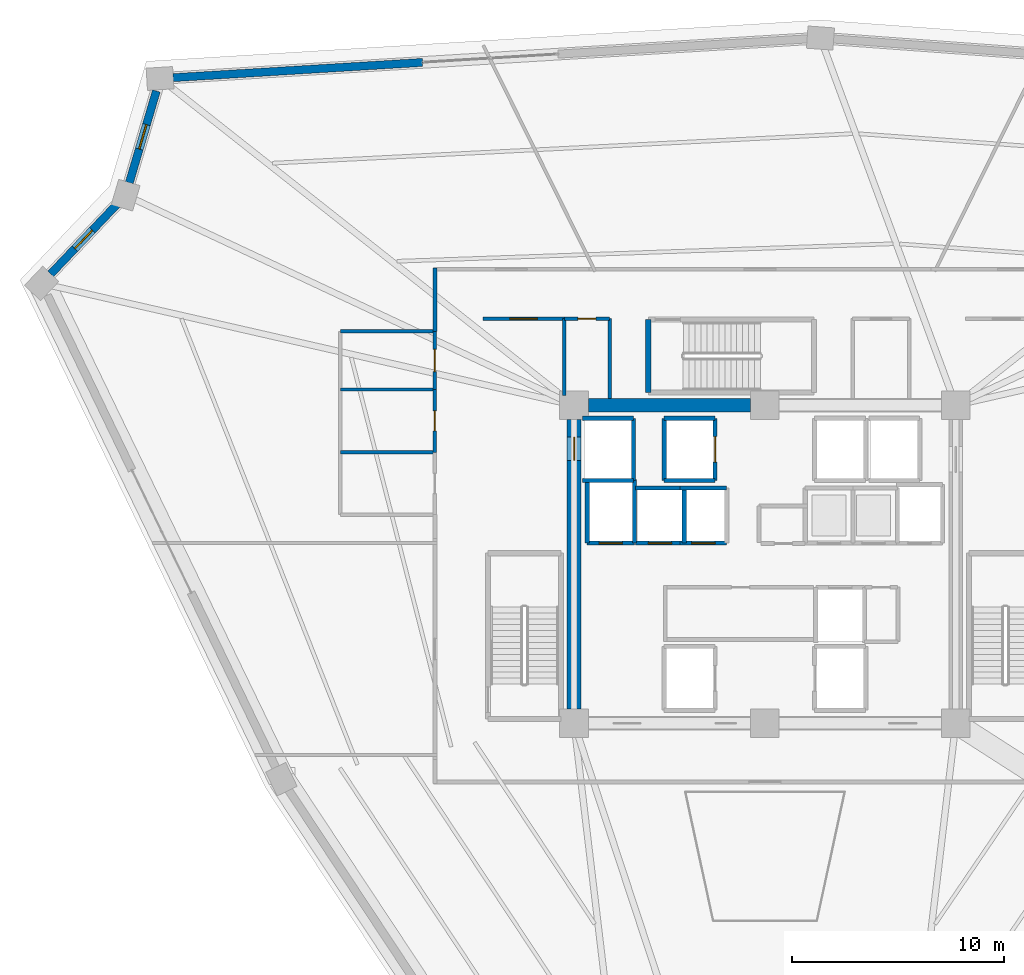
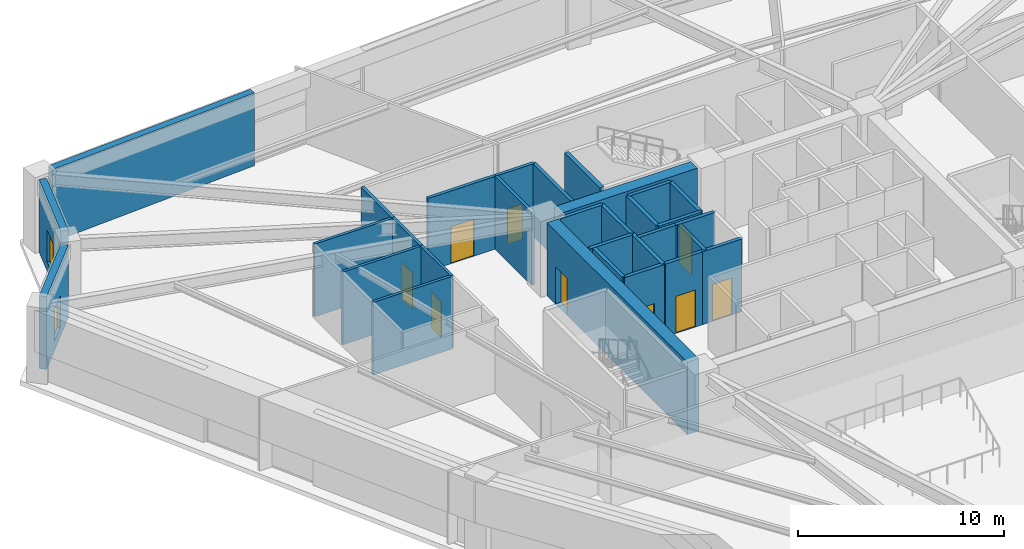
# One storey, part 33 of 39: 31 walls, 9 doors, 2 windows, 11 openings.
"""IFC4 building model written with IfcOpenShell, lengths in metres."""

from ifc_helpers import new_model, si_unit, direction, frame, frame_2d, origin, place, context, subcontext, project, spatial, rectangle, extrude, source, transform, mapped, material, layer, layer_set, type_object, element, fill, save


model = new_model("IFC4")

# Units and contexts
model_context = context("Model", 3, precision=1e-05, world=origin(), true_north=direction((0.0, 1.0)))
body_context = subcontext(model_context, "Body", "Model", "MODEL_VIEW")
ifc_project = project(units=[si_unit("LENGTHUNIT", "METRE"), si_unit("AREAUNIT", "SQUARE_METRE"), si_unit("VOLUMEUNIT", "CUBIC_METRE"), si_unit("PLANEANGLEUNIT", "RADIAN"), si_unit("MASSUNIT", "GRAM", prefix="KILO")], contexts=[model_context])

# Site, building, storey
site_placement = place(None, origin())
site = spatial("IfcSite", under=ifc_project, at=site_placement, CompositionType="ELEMENT")
building_placement = place(site_placement, origin())
building = spatial("IfcBuilding", under=site, at=building_placement, Name="Liaohun Quay Tower", CompositionType="ELEMENT")
storey_placement = place(building_placement, frame((0.0, 0.0, 189.75)))
storey = spatial("IfcBuildingStorey", under=building, at=storey_placement, Name="L49", CompositionType="ELEMENT", Elevation=189.75)

# Wall
ifc_material_1 = material(Name="Concrete C55", Category="concrete")
ifc_layer_1 = layer(ifc_material_1, 0.64990234375, Name="Concrete C55", Category="concrete")
ifc_layer_set_1 = layer_set([ifc_layer_1], Name="Concrete C55")
wall_type_1 = type_object("IfcWallType", Name="WAL-COR-Z3", PredefinedType="SHEAR", material=ifc_layer_set_1)
wall_1_placement = place(storey_placement, frame((51.675048828125, 61.5, 0.0), z_axis=(0.0, 0.0, 1.0), x_axis=(1.0, 0.0, 0.0)))
element("IfcWall", 1, at=wall_1_placement, inside=storey, type_object=wall_type_1, Name="L49 Central Core Shear Wall N-W", PredefinedType="SHEAR", context=body_context, shape_type="SweptSolid", body=[
    extrude(rectangle(XDim=7.64990234375, YDim=0.64990234375, at=frame_2d((3.824951171875, 0.0))), origin(), (0.0, 0.0, 1.0), 4.320068359375),
])

# Wall, opening, door
wall_2_placement = place(storey_placement, frame((51.0, 47.175048828125, 0.0), z_axis=(0.0, 0.0, 1.0), x_axis=(0.0, 1.0, 0.0)))
wall_2 = element("IfcWall", 2, at=wall_2_placement, inside=storey, type_object=wall_type_1, Name="L49 Central Core Shear Wall W", PredefinedType="SHEAR", context=body_context, shape_type="SweptSolid", body=[
    extrude(rectangle(XDim=13.64990234375, YDim=0.64990234375, at=frame_2d((6.824951171875, 0.0))), origin(), (0.0, 0.0, 1.0), 4.320068359375),
])
shared_shape_1 = source(origin(), body_context, "Body", "SweptSolid", [
    extrude(rectangle(XDim=1.10009765625, YDim=2.199951171875, at=frame_2d((0.550048828125, 1.10009765625))), frame((0.0, 0.3349609375, 0.0), z_axis=(0.0, -1.0, 0.0), x_axis=(1.0, 0.0, 0.0)), (0.0, 0.0, 1.0), 0.669921875),
])
opening_1_placement = place(wall_2_placement, frame((11.72509765625, 0.0, 0.0)))
opening_1 = element("IfcOpeningElement", 3, at=opening_1_placement, cuts=wall_2, Name="Opening LD1", PredefinedType="OPENING", context=body_context, shape_type="MappedRepresentation", body=[
    mapped(shared_shape_1, transform((0.0, 0.0, 0.0), x_axis=(1.0, 0.0, 0.0), y_axis=(0.0, 1.0, 0.0), z_axis=(0.0, 0.0, 1.0), scale=1.0)),
])
ifc_material_2 = material(Name="Brushed stainless steel landing door", Category="steel")
door_type_1 = type_object("IfcDoorType", Name="DOR-LFT-1100", OperationType="SLIDING_TO_LEFT", PredefinedType="DOOR", material=ifc_material_2)
shared_shape_2 = source(origin(), body_context, "Body", "SweptSolid", [
    extrude(rectangle(XDim=1.10009765625, YDim=2.199951171875, at=frame_2d((0.550048828125, 1.10009765625))), frame((0.0, 0.02490234375, 0.0), z_axis=(0.0, -1.0, 0.0), x_axis=(1.0, 0.0, 0.0)), (0.0, 0.0, 1.0), 0.050048828125),
])
door_1_placement = place(opening_1_placement, origin())
door_1 = element("IfcDoor", 4, at=door_1_placement, inside=storey, type_object=door_type_1, Name="L49 Lift SH-01 Sliding Landing Door", OperationType="SLIDING_TO_LEFT", OverallHeight=2.199951171875, OverallWidth=1.10009765625, PredefinedType="DOOR", context=body_context, shape_type="MappedRepresentation", body=[
    mapped(shared_shape_2, transform((0.0, 0.0, 0.0), x_axis=(1.0, 0.0, 0.0), y_axis=(0.0, 1.0, 0.0), z_axis=(0.0, 0.0, 1.0), scale=1.0)),
])
fill(opening_1, door_1)

# Wall
ifc_material_3 = material(Name="Precast concrete C50 insulated sandwich", Category="concrete")
ifc_layer_2 = layer(ifc_material_3, 0.3798828125, Name="Precast concrete C50 insulated sandwich", Category="concrete")
ifc_layer_set_2 = layer_set([ifc_layer_2], Name="Precast concrete C50 insulated sandwich")
wall_type_2 = type_object("IfcWallType", Name="WAL-EXT-Z34", PredefinedType="SOLIDWALL", material=ifc_layer_set_2)
wall_3_placement = place(storey_placement, frame((43.85498046875, 77.6640625, 0.0), z_axis=(0.0, 0.0, 1.0), x_axis=(-0.998131807187, -0.061097426145, 0.0)))
element("IfcWall", 5, at=wall_3_placement, inside=storey, type_object=wall_type_2, Name="L49 Belvedere Flank Pier Wall 07R", PredefinedType="SOLIDWALL", context=body_context, shape_type="SweptSolid", body=[
    extrude(rectangle(XDim=11.783935546875, YDim=0.3798828125, at=frame_2d((5.89208984375, 0.0))), origin(), (0.0, 0.0, 1.0), 4.320068359375),
])

# Wall, opening, window
wall_4_placement = place(storey_placement, frame((31.304931640625, 76.31591796875, 0.0), z_axis=(0.0, 0.0, 1.0), x_axis=(-0.282667804741, -0.959217864806, 0.0)))
wall_4 = element("IfcWall", 6, at=wall_4_placement, inside=storey, type_object=wall_type_2, Name="L49 Corner Notch Precast Pier Wall 08", PredefinedType="SOLIDWALL", context=body_context, shape_type="SweptSolid", body=[
    extrude(rectangle(XDim=4.5068359375, YDim=0.3798828125, at=frame_2d((2.25341796875, 0.0))), origin(), (0.0, 0.0, 1.0), 4.320068359375),
])
shared_shape_3 = source(origin(), body_context, "Body", "SweptSolid", [
    extrude(rectangle(XDim=1.199951171875, YDim=1.89990234375, at=frame_2d((0.60009765625, 0.949951171875))), frame((0.0, 0.199951171875, 0.0), z_axis=(0.0, -1.0, 0.0), x_axis=(1.0, 0.0, 0.0)), (0.0, 0.0, 1.0), 0.39990234375),
])
opening_2_placement = place(wall_4_placement, frame((1.653076171875, 0.0, 0.550048828125)))
opening_2 = element("IfcOpeningElement", 7, at=opening_2_placement, cuts=wall_4, Name="Opening W05", PredefinedType="OPENING", context=body_context, shape_type="MappedRepresentation", body=[
    mapped(shared_shape_3, transform((0.0, 0.0, 0.0), x_axis=(1.0, 0.0, 0.0), y_axis=(0.0, 1.0, 0.0), z_axis=(0.0, 0.0, 1.0), scale=1.0)),
])
ifc_material_4 = material(Name="Triple Low-E corner notch glazing", Category="glass")
window_type = type_object("IfcWindowType", Name="WIN-NOTCH", PartitioningType="SINGLE_PANEL", PredefinedType="WINDOW", material=ifc_material_4)
shared_shape_4 = source(origin(), body_context, "Body", "SweptSolid", [
    extrude(rectangle(XDim=1.199951171875, YDim=1.89990234375, at=frame_2d((0.60009765625, 0.949951171875))), frame((0.0, 0.030029296875, 0.0), z_axis=(0.0, -1.0, 0.0), x_axis=(1.0, 0.0, 0.0)), (0.0, 0.0, 1.0), 0.06005859375),
])
window_1_placement = place(opening_2_placement, origin())
window_1 = element("IfcWindow", 8, at=window_1_placement, inside=storey, type_object=window_type, Name="L49 Corner Notch Window W05-08", OverallHeight=1.89990234375, OverallWidth=1.199951171875, PartitioningType="SINGLE_PANEL", PredefinedType="WINDOW", context=body_context, shape_type="MappedRepresentation", body=[
    mapped(shared_shape_4, transform((0.0, 0.0, 0.0), x_axis=(1.0, 0.0, 0.0), y_axis=(0.0, 1.0, 0.0), z_axis=(0.0, 0.0, 1.0), scale=1.0)),
])
fill(opening_2, window_1)

wall_5_placement = place(storey_placement, frame((29.43310546875, 70.9580078125, 0.0), z_axis=(0.0, 0.0, 1.0), x_axis=(-0.689291978765, -0.724483656137, 0.0)))
wall_5 = element("IfcWall", 9, at=wall_5_placement, inside=storey, type_object=wall_type_2, Name="L49 Corner Notch Precast Pier Wall 09", PredefinedType="SOLIDWALL", context=body_context, shape_type="SweptSolid", body=[
    extrude(rectangle(XDim=4.516357421875, YDim=0.3798828125, at=frame_2d((2.25830078125, 0.0))), origin(), (0.0, 0.0, 1.0), 4.320068359375),
])
opening_3_placement = place(wall_5_placement, frame((1.657958984375, 0.0, 0.550048828125)))
opening_3 = element("IfcOpeningElement", 10, at=opening_3_placement, cuts=wall_5, Name="Opening W05", PredefinedType="OPENING", context=body_context, shape_type="MappedRepresentation", body=[
    mapped(shared_shape_3, transform((0.0, 0.0, 0.0), x_axis=(1.0, 0.0, 0.0), y_axis=(0.0, 1.0, 0.0), z_axis=(0.0, 0.0, 1.0), scale=1.0)),
])
window_2_placement = place(opening_3_placement, origin())
window_2 = element("IfcWindow", 11, at=window_2_placement, inside=storey, type_object=window_type, Name="L49 Corner Notch Window W05-09", OverallHeight=1.89990234375, OverallWidth=1.199951171875, PartitioningType="SINGLE_PANEL", PredefinedType="WINDOW", context=body_context, shape_type="MappedRepresentation", body=[
    mapped(shared_shape_4, transform((0.0, 0.0, 0.0), x_axis=(1.0, 0.0, 0.0), y_axis=(0.0, 1.0, 0.0), z_axis=(0.0, 0.0, 1.0), scale=1.0)),
])
fill(opening_3, window_2)

# Wall, opening, door
ifc_material_5 = material(Name="Autoclaved aerated concrete blockwork", Category="masonry")
ifc_layer_3 = layer(ifc_material_5, 0.179931640625, Name="Autoclaved aerated concrete blockwork", Category="masonry")
ifc_layer_set_3 = layer_set([ifc_layer_3], Name="Autoclaved aerated concrete blockwork")
wall_type_3 = type_object("IfcWallType", Name="WAL-PRT-COR", PredefinedType="PARTITIONING", material=ifc_layer_set_3)
wall_6_placement = place(storey_placement, frame((50.5400390625, 65.580078125, 0.0), z_axis=(0.0, 0.0, 1.0), x_axis=(1.0, 0.0, 0.0)))
wall_6 = element("IfcWall", 12, at=wall_6_placement, inside=storey, type_object=wall_type_3, Name="L49 Interior Partition Wall 007", PredefinedType="PARTITIONING", context=body_context, shape_type="SweptSolid", body=[
    extrude(rectangle(XDim=2.139892578125, YDim=0.179931640625, at=frame_2d((1.06982421875, 0.0))), origin(), (0.0, 0.0, 1.0), 4.320068359375),
])
shared_shape_5 = source(origin(), body_context, "Body", "SweptSolid", [
    extrude(rectangle(XDim=0.85009765625, YDim=2.10009765625, at=frame_2d((0.425048828125, 1.050048828125))), frame((0.0, 0.099853515625, 0.0), z_axis=(0.0, -1.0, 0.0), x_axis=(1.0, 0.0, 0.0)), (0.0, 0.0, 1.0), 0.199951171875),
])
opening_4_placement = place(wall_6_placement, frame((0.64501953125, 0.0, 0.0)))
opening_4 = element("IfcOpeningElement", 13, at=opening_4_placement, cuts=wall_6, Name="Opening AD1", PredefinedType="OPENING", context=body_context, shape_type="MappedRepresentation", body=[
    mapped(shared_shape_5, transform((0.0, 0.0, 0.0), x_axis=(1.0, 0.0, 0.0), y_axis=(0.0, 1.0, 0.0), z_axis=(0.0, 0.0, 1.0), scale=1.0)),
])
ifc_material_6 = material(Name="Steel riser inspection fire door", Category="steel")
door_type_2 = type_object("IfcDoorType", Name="DOR-SHF-850", OperationType="NOTDEFINED", PredefinedType="DOOR", material=ifc_material_6)
shared_shape_6 = source(origin(), body_context, "Body", "SweptSolid", [
    extrude(rectangle(XDim=0.85009765625, YDim=2.10009765625, at=frame_2d((0.425048828125, 1.050048828125))), frame((0.0, 0.02490234375, 0.0), z_axis=(0.0, -1.0, 0.0), x_axis=(1.0, 0.0, 0.0)), (0.0, 0.0, 1.0), 0.050048828125),
])
door_2_placement = place(opening_4_placement, origin())
door_2 = element("IfcDoor", 14, at=door_2_placement, inside=storey, type_object=door_type_2, Name="L49 North-West Supply Store Door", OperationType="SINGLE_SWING_LEFT", OverallHeight=2.10009765625, OverallWidth=0.85009765625, PredefinedType="DOOR", context=body_context, shape_type="MappedRepresentation", body=[
    mapped(shared_shape_6, transform((0.0, 0.0, 0.0), x_axis=(1.0, 0.0, 0.0), y_axis=(0.0, 1.0, 0.0), z_axis=(0.0, 0.0, 1.0), scale=1.0)),
])
fill(opening_4, door_2)

wall_7_placement = place(storey_placement, frame((46.699951171875, 65.580078125, 0.0), z_axis=(0.0, 0.0, 1.0), x_axis=(1.0, 0.0, 0.0)))
wall_7 = element("IfcWall", 15, at=wall_7_placement, inside=storey, type_object=wall_type_3, Name="L49 Interior Partition Wall 009", PredefinedType="PARTITIONING", context=body_context, shape_type="SweptSolid", body=[
    extrude(rectangle(XDim=3.840087890625, YDim=0.179931640625, at=frame_2d((1.919921875, 0.0))), origin(), (0.0, 0.0, 1.0), 4.320068359375),
])
shared_shape_7 = source(origin(), body_context, "Body", "SweptSolid", [
    extrude(rectangle(XDim=1.300048828125, YDim=2.199951171875, at=frame_2d((0.64990234375, 1.10009765625))), frame((0.0, 0.099853515625, 0.0), z_axis=(0.0, -1.0, 0.0), x_axis=(1.0, 0.0, 0.0)), (0.0, 0.0, 1.0), 0.199951171875),
])
opening_5_placement = place(wall_7_placement, frame((1.27001953125, 0.0, 0.0)))
opening_5 = element("IfcOpeningElement", 16, at=opening_5_placement, cuts=wall_7, Name="Opening FD1", PredefinedType="OPENING", context=body_context, shape_type="MappedRepresentation", body=[
    mapped(shared_shape_7, transform((0.0, 0.0, 0.0), x_axis=(1.0, 0.0, 0.0), y_axis=(0.0, 1.0, 0.0), z_axis=(0.0, 0.0, 1.0), scale=1.0)),
])
ifc_material_7 = material(Name="Galvanised steel smokeproof fire door", Category="steel")
door_type_3 = type_object("IfcDoorType", Name="DOR-FFL-1300", OperationType="NOTDEFINED", PredefinedType="DOOR", material=ifc_material_7)
shared_shape_8 = source(origin(), body_context, "Body", "SweptSolid", [
    extrude(rectangle(XDim=1.300048828125, YDim=2.199951171875, at=frame_2d((0.64990234375, 1.10009765625))), frame((0.0, 0.02490234375, 0.0), z_axis=(0.0, -1.0, 0.0), x_axis=(1.0, 0.0, 0.0)), (0.0, 0.0, 1.0), 0.050048828125),
])
door_3_placement = place(opening_5_placement, origin())
door_3 = element("IfcDoor", 17, at=door_3_placement, inside=storey, type_object=door_type_3, Name="L49 West Core Vestibule Door", OperationType="SINGLE_SWING_LEFT", OverallHeight=2.199951171875, OverallWidth=1.300048828125, PredefinedType="DOOR", context=body_context, shape_type="MappedRepresentation", body=[
    mapped(shared_shape_8, transform((0.0, 0.0, 0.0), x_axis=(1.0, 0.0, 0.0), y_axis=(0.0, 1.0, 0.0), z_axis=(0.0, 0.0, 1.0), scale=1.0)),
])
fill(opening_5, door_3)

# Walls
wall_8_placement = place(storey_placement, frame((50.5400390625, 61.949951171875, 0.0), z_axis=(0.0, 0.0, 1.0), x_axis=(0.0, 1.0, 0.0)))
element("IfcWall", 18, at=wall_8_placement, inside=storey, type_object=wall_type_3, Name="L49 Interior Partition Wall 026", PredefinedType="PARTITIONING", context=body_context, shape_type="SweptSolid", body=[
    extrude(rectangle(XDim=3.630126953125, YDim=0.179931640625, at=frame_2d((1.81494140625, 0.0))), origin(), (0.0, 0.0, 1.0), 4.320068359375),
])
wall_9_placement = place(storey_placement, frame((52.679931640625, 61.824951171875, 0.0), z_axis=(0.0, 0.0, 1.0), x_axis=(0.0, 1.0, 0.0)))
element("IfcWall", 19, at=wall_9_placement, inside=storey, type_object=wall_type_3, Name="L49 Interior Partition Wall 027", PredefinedType="PARTITIONING", context=body_context, shape_type="SweptSolid", body=[
    extrude(rectangle(XDim=3.755126953125, YDim=0.179931640625, at=frame_2d((1.87744140625, 0.0))), origin(), (0.0, 0.0, 1.0), 4.320068359375),
])
wall_10_placement = place(storey_placement, frame((44.43994140625, 64.97998046875, 0.0), z_axis=(0.0, 0.0, 1.0), x_axis=(0.0, 1.0, 0.0)))
element("IfcWall", 20, at=wall_10_placement, inside=storey, type_object=wall_type_3, Name="L49 Interior Partition Wall 031", PredefinedType="PARTITIONING", context=body_context, shape_type="SweptSolid", body=[
    extrude(rectangle(XDim=3.0, YDim=0.179931640625, at=frame_2d((1.5, 0.0))), origin(), (0.0, 0.0, 1.0), 4.320068359375),
])

# Wall, opening, door
ifc_material_8 = material(Name="Moisture-resistant masonry blockwork", Category="masonry")
ifc_layer_4 = layer(ifc_material_8, 0.159912109375, Name="Moisture-resistant masonry blockwork", Category="masonry")
ifc_layer_set_4 = layer_set([ifc_layer_4], Name="Moisture-resistant masonry blockwork")
wall_type_4 = type_object("IfcWallType", Name="WAL-PRT-WET", PredefinedType="PARTITIONING", material=ifc_layer_set_4)
wall_11_placement = place(storey_placement, frame((44.43994140625, 59.280029296875, 0.0), z_axis=(0.0, 0.0, 1.0), x_axis=(0.0, 1.0, 0.0)))
wall_11 = element("IfcWall", 21, at=wall_11_placement, inside=storey, type_object=wall_type_4, Name="L49 Interior Partition Wall 005", PredefinedType="PARTITIONING", context=body_context, shape_type="SweptSolid", body=[
    extrude(rectangle(XDim=2.9599609375, YDim=0.159912109375, at=frame_2d((1.47998046875, 0.0))), origin(), (0.0, 0.0, 1.0), 4.320068359375),
])
shared_shape_9 = source(origin(), body_context, "Body", "SweptSolid", [
    extrude(rectangle(XDim=0.949951171875, YDim=2.14990234375, at=frame_2d((0.47509765625, 1.074951171875))), frame((0.0, 0.08984375, 0.0), z_axis=(0.0, -1.0, 0.0), x_axis=(1.0, 0.0, 0.0)), (0.0, 0.0, 1.0), 0.179931640625),
])
opening_6_placement = place(wall_11_placement, frame((1.0048828125, 0.0, 0.0)))
opening_6 = element("IfcOpeningElement", 22, at=opening_6_placement, cuts=wall_11, Name="Opening WD1", PredefinedType="OPENING", context=body_context, shape_type="MappedRepresentation", body=[
    mapped(shared_shape_9, transform((0.0, 0.0, 0.0), x_axis=(1.0, 0.0, 0.0), y_axis=(0.0, 1.0, 0.0), z_axis=(0.0, 0.0, 1.0), scale=1.0)),
])
ifc_material_9 = material(Name="Moisture-resistant laminate timber leaf", Category="wood")
door_type_4 = type_object("IfcDoorType", Name="DOR-WC-950", OperationType="NOTDEFINED", PredefinedType="DOOR", material=ifc_material_9)
shared_shape_10 = source(origin(), body_context, "Body", "SweptSolid", [
    extrude(rectangle(XDim=0.949951171875, YDim=2.14990234375, at=frame_2d((0.47509765625, 1.074951171875))), frame((0.0, 0.02490234375, 0.0), z_axis=(0.0, -1.0, 0.0), x_axis=(1.0, 0.0, 0.0)), (0.0, 0.0, 1.0), 0.050048828125),
])
door_4_placement = place(opening_6_placement, origin())
door_4 = element("IfcDoor", 23, at=door_4_placement, inside=storey, type_object=door_type_4, Name="L49 Female Restroom WC Door", OperationType="SINGLE_SWING_LEFT", OverallHeight=2.14990234375, OverallWidth=0.949951171875, PredefinedType="DOOR", context=body_context, shape_type="MappedRepresentation", body=[
    mapped(shared_shape_10, transform((0.0, 0.0, 0.0), x_axis=(1.0, 0.0, 0.0), y_axis=(0.0, 1.0, 0.0), z_axis=(0.0, 0.0, 1.0), scale=1.0)),
])
fill(opening_6, door_4)

wall_12_placement = place(storey_placement, frame((44.43994140625, 62.239990234375, 0.0), z_axis=(0.0, 0.0, 1.0), x_axis=(0.0, 1.0, 0.0)))
wall_12 = element("IfcWall", 24, at=wall_12_placement, inside=storey, type_object=wall_type_4, Name="L49 Interior Partition Wall 006", PredefinedType="PARTITIONING", context=body_context, shape_type="SweptSolid", body=[
    extrude(rectangle(XDim=2.739990234375, YDim=0.159912109375, at=frame_2d((1.3701171875, 0.0))), origin(), (0.0, 0.0, 1.0), 4.320068359375),
])
shared_shape_11 = source(origin(), body_context, "Body", "SweptSolid", [
    extrude(rectangle(XDim=1.050048828125, YDim=2.14990234375, at=frame_2d((0.52490234375, 1.074951171875))), frame((0.0, 0.08984375, 0.0), z_axis=(0.0, -1.0, 0.0), x_axis=(1.0, 0.0, 0.0)), (0.0, 0.0, 1.0), 0.179931640625),
])
opening_7_placement = place(wall_12_placement, frame((0.844970703125, 0.0, 0.0)))
opening_7 = element("IfcOpeningElement", 25, at=opening_7_placement, cuts=wall_12, Name="Opening WD2", PredefinedType="OPENING", context=body_context, shape_type="MappedRepresentation", body=[
    mapped(shared_shape_11, transform((0.0, 0.0, 0.0), x_axis=(1.0, 0.0, 0.0), y_axis=(0.0, 1.0, 0.0), z_axis=(0.0, 0.0, 1.0), scale=1.0)),
])
ifc_material_10 = material(Name="Accessible outward-swinging laminate door")
door_type_5 = type_object("IfcDoorType", Name="DOR-AWC-1050", OperationType="NOTDEFINED", PredefinedType="DOOR", material=ifc_material_10)
shared_shape_12 = source(origin(), body_context, "Body", "SweptSolid", [
    extrude(rectangle(XDim=1.050048828125, YDim=2.14990234375, at=frame_2d((0.52490234375, 1.074951171875))), frame((0.0, 0.02490234375, 0.0), z_axis=(0.0, -1.0, 0.0), x_axis=(1.0, 0.0, 0.0)), (0.0, 0.0, 1.0), 0.050048828125),
])
door_5_placement = place(opening_7_placement, origin())
door_5 = element("IfcDoor", 26, at=door_5_placement, inside=storey, type_object=door_type_5, Name="L49 Accessible WC Door", OperationType="SINGLE_SWING_RIGHT", OverallHeight=2.14990234375, OverallWidth=1.050048828125, PredefinedType="DOOR", context=body_context, shape_type="MappedRepresentation", body=[
    mapped(shared_shape_12, transform((0.0, 0.0, 0.0), x_axis=(1.0, 0.0, 0.0), y_axis=(0.0, 1.0, 0.0), z_axis=(0.0, 0.0, 1.0), scale=1.0)),
])
fill(opening_7, door_5)

# Walls
for number, where, z_axis, x_axis, name in (
    (27, (39.97998046875, 59.280029296875, 0.0), (0.0, 0.0, 1.0), (1.0, 0.0, 0.0), "L49 Interior Partition Wall 023"),
    (28, (39.97998046875, 62.239990234375, 0.0), (0.0, 0.0, 1.0), (1.0, 0.0, 0.0), "L49 Interior Partition Wall 024"),
    (29, (39.97998046875, 64.97998046875, 0.0), (0.0, 0.0, 1.0), (1.0, 0.0, 0.0), "L49 Interior Partition Wall 025"),
):
    element("IfcWall", number, at=place(storey_placement, frame(where, z_axis=z_axis, x_axis=x_axis)), inside=storey, type_object=wall_type_4, Name=name, PredefinedType="PARTITIONING", context=body_context, shape_type="SweptSolid", body=[
        extrude(rectangle(XDim=4.4599609375, YDim=0.159912109375, at=frame_2d((2.22998046875, 0.0))), origin(), (0.0, 0.0, 1.0), 4.320068359375),
    ])
ifc_material_11 = material(Name="Concrete C50", Category="concrete")
ifc_layer_5 = layer(ifc_material_11, 0.239990234375, Name="Concrete C50", Category="concrete")
ifc_layer_set_5 = layer_set([ifc_layer_5], Name="Concrete C50")
wall_type_5 = type_object("IfcWallType", Name="WAL-SHF-200", PredefinedType="SOLIDWALL", material=ifc_layer_set_5)
wall_13_placement = place(storey_placement, frame((54.5, 65.5400390625, 0.0), z_axis=(0.0, 0.0, 1.0), x_axis=(0.0, -1.0, 0.0)))
element("IfcWall", 30, at=wall_13_placement, inside=storey, type_object=wall_type_5, Name="L49 Stairwell ST-3 Structural Core Wall W", PredefinedType="SOLIDWALL", context=body_context, shape_type="SweptSolid", body=[
    extrude(rectangle(XDim=3.43994140625, YDim=0.239990234375, at=frame_2d((1.719970703125, 0.0))), origin(), (0.0, 0.0, 1.0), 4.320068359375),
])
wall_14_placement = place(storey_placement, frame((55.25, 57.949951171875, 0.0), z_axis=(0.0, 0.0, 1.0), x_axis=(1.0, 0.0, 0.0)))
element("IfcWall", 31, at=wall_14_placement, inside=storey, type_object=wall_type_5, Name="L49 Lift FF-03 Hoistway Wall S", PredefinedType="SOLIDWALL", context=body_context, shape_type="SweptSolid", body=[
    extrude(rectangle(XDim=2.39990234375, YDim=0.199951171875, at=frame_2d((1.199951171875, 0.0))), origin(), (0.0, 0.0, 1.0), 4.320068359375),
])

# Wall, opening, door
wall_15_placement = place(storey_placement, frame((57.64990234375, 57.949951171875, 0.0), z_axis=(0.0, 0.0, 1.0), x_axis=(0.0, 1.0, 0.0)))
wall_15 = element("IfcWall", 32, at=wall_15_placement, inside=storey, type_object=wall_type_5, Name="L49 Lift FF-03 Hoistway Wall E", PredefinedType="SOLIDWALL", context=body_context, shape_type="SweptSolid", body=[
    extrude(rectangle(XDim=2.929931640625, YDim=0.199951171875, at=frame_2d((1.46484375, 0.0))), origin(), (0.0, 0.0, 1.0), 4.320068359375),
])
shared_shape_13 = source(origin(), body_context, "Body", "SweptSolid", [
    extrude(rectangle(XDim=1.199951171875, YDim=2.300048828125, at=frame_2d((0.60009765625, 1.14990234375))), frame((0.0, 0.10986328125, 0.0), z_axis=(0.0, -1.0, 0.0), x_axis=(1.0, 0.0, 0.0)), (0.0, 0.0, 1.0), 0.219970703125),
])
opening_8_placement = place(wall_15_placement, frame((0.864990234375, 0.0, 0.0)))
opening_8 = element("IfcOpeningElement", 33, at=opening_8_placement, cuts=wall_15, Name="Opening LD2", PredefinedType="OPENING", context=body_context, shape_type="MappedRepresentation", body=[
    mapped(shared_shape_13, transform((0.0, 0.0, 0.0), x_axis=(1.0, 0.0, 0.0), y_axis=(0.0, 1.0, 0.0), z_axis=(0.0, 0.0, 1.0), scale=1.0)),
])
ifc_material_12 = material(Name="Brushed stainless steel stretcher landing door", Category="steel")
door_type_6 = type_object("IfcDoorType", Name="DOR-LFT-1200", OperationType="SLIDING_TO_LEFT", PredefinedType="DOOR", material=ifc_material_12)
shared_shape_14 = source(origin(), body_context, "Body", "SweptSolid", [
    extrude(rectangle(XDim=1.199951171875, YDim=2.300048828125, at=frame_2d((0.60009765625, 1.14990234375))), frame((0.0, 0.02490234375, 0.0), z_axis=(0.0, -1.0, 0.0), x_axis=(1.0, 0.0, 0.0)), (0.0, 0.0, 1.0), 0.050048828125),
])
door_6_placement = place(opening_8_placement, origin())
door_6 = element("IfcDoor", 34, at=door_6_placement, inside=storey, type_object=door_type_6, Name="L49 Lift FF-03 Sliding Landing Door", OperationType="SLIDING_TO_LEFT", OverallHeight=2.300048828125, OverallWidth=1.199951171875, PredefinedType="DOOR", context=body_context, shape_type="MappedRepresentation", body=[
    mapped(shared_shape_14, transform((0.0, 0.0, 0.0), x_axis=(1.0, 0.0, 0.0), y_axis=(0.0, 1.0, 0.0), z_axis=(0.0, 0.0, 1.0), scale=1.0)),
])
fill(opening_8, door_6)

# Walls
wall_16_placement = place(storey_placement, frame((57.64990234375, 60.8798828125, 0.0), z_axis=(0.0, 0.0, 1.0), x_axis=(-1.0, 0.0, 0.0)))
element("IfcWall", 35, at=wall_16_placement, inside=storey, type_object=wall_type_5, Name="L49 Lift FF-03 Hoistway Wall N", PredefinedType="SOLIDWALL", context=body_context, shape_type="SweptSolid", body=[
    extrude(rectangle(XDim=2.39990234375, YDim=0.199951171875, at=frame_2d((1.199951171875, 0.0))), origin(), (0.0, 0.0, 1.0), 4.320068359375),
])
wall_17_placement = place(storey_placement, frame((55.25, 60.8798828125, 0.0), z_axis=(0.0, 0.0, 1.0), x_axis=(0.0, -1.0, 0.0)))
element("IfcWall", 36, at=wall_17_placement, inside=storey, type_object=wall_type_5, Name="L49 Lift FF-03 Hoistway Wall W", PredefinedType="SOLIDWALL", context=body_context, shape_type="SweptSolid", body=[
    extrude(rectangle(XDim=2.929931640625, YDim=0.199951171875, at=frame_2d((1.46484375, 0.0))), origin(), (0.0, 0.0, 1.0), 4.320068359375),
])
wall_18_placement = place(storey_placement, frame((51.39990234375, 57.949951171875, 0.0), z_axis=(0.0, 0.0, 1.0), x_axis=(1.0, 0.0, 0.0)))
element("IfcWall", 37, at=wall_18_placement, inside=storey, type_object=wall_type_5, Name="L49 Lift SH-01 Hoistway Wall S", PredefinedType="SOLIDWALL", context=body_context, shape_type="SweptSolid", body=[
    extrude(rectangle(XDim=2.400146484375, YDim=0.199951171875, at=frame_2d((1.2001953125, 0.0))), origin(), (0.0, 0.0, 1.0), 4.320068359375),
])
wall_19_placement = place(storey_placement, frame((53.800048828125, 57.949951171875, 0.0), z_axis=(0.0, 0.0, 1.0), x_axis=(0.0, 1.0, 0.0)))
element("IfcWall", 38, at=wall_19_placement, inside=storey, type_object=wall_type_5, Name="L49 Lift SH-01 Hoistway Wall E", PredefinedType="SOLIDWALL", context=body_context, shape_type="SweptSolid", body=[
    extrude(rectangle(XDim=2.929931640625, YDim=0.199951171875, at=frame_2d((1.46484375, 0.0))), origin(), (0.0, 0.0, 1.0), 4.320068359375),
])
wall_20_placement = place(storey_placement, frame((53.800048828125, 60.8798828125, 0.0), z_axis=(0.0, 0.0, 1.0), x_axis=(-1.0, 0.0, 0.0)))
element("IfcWall", 39, at=wall_20_placement, inside=storey, type_object=wall_type_5, Name="L49 Lift SH-01 Hoistway Wall N", PredefinedType="SOLIDWALL", context=body_context, shape_type="SweptSolid", body=[
    extrude(rectangle(XDim=2.400146484375, YDim=0.199951171875, at=frame_2d((1.2001953125, 0.0))), origin(), (0.0, 0.0, 1.0), 4.320068359375),
])

# Wall, opening, door
wall_21_placement = place(storey_placement, frame((51.6201171875, 55.0, 0.0), z_axis=(0.0, 0.0, 1.0), x_axis=(1.0, 0.0, 0.0)))
wall_21 = element("IfcWall", 40, at=wall_21_placement, inside=storey, type_object=wall_type_5, Name="L49 Lift SH-02 Hoistway Wall S", PredefinedType="SOLIDWALL", context=body_context, shape_type="SweptSolid", body=[
    extrude(rectangle(XDim=2.22998046875, YDim=0.199951171875, at=frame_2d((1.114990234375, 0.0))), origin(), (0.0, 0.0, 1.0), 4.320068359375),
])
shared_shape_15 = source(origin(), body_context, "Body", "SweptSolid", [
    extrude(rectangle(XDim=1.10009765625, YDim=2.199951171875, at=frame_2d((0.550048828125, 1.10009765625))), frame((0.0, 0.10986328125, 0.0), z_axis=(0.0, -1.0, 0.0), x_axis=(1.0, 0.0, 0.0)), (0.0, 0.0, 1.0), 0.219970703125),
])
opening_9_placement = place(wall_21_placement, frame((0.56494140625, 0.0, 0.0)))
opening_9 = element("IfcOpeningElement", 41, at=opening_9_placement, cuts=wall_21, Name="Opening LD1", PredefinedType="OPENING", context=body_context, shape_type="MappedRepresentation", body=[
    mapped(shared_shape_15, transform((0.0, 0.0, 0.0), x_axis=(1.0, 0.0, 0.0), y_axis=(0.0, 1.0, 0.0), z_axis=(0.0, 0.0, 1.0), scale=1.0)),
])
door_7_placement = place(opening_9_placement, origin())
door_7 = element("IfcDoor", 42, at=door_7_placement, inside=storey, type_object=door_type_1, Name="L49 Lift SH-02 Sliding Landing Door", OperationType="SLIDING_TO_LEFT", OverallHeight=2.199951171875, OverallWidth=1.10009765625, PredefinedType="DOOR", context=body_context, shape_type="MappedRepresentation", body=[
    mapped(shared_shape_2, transform((0.0, 0.0, 0.0), x_axis=(1.0, 0.0, 0.0), y_axis=(0.0, 1.0, 0.0), z_axis=(0.0, 0.0, 1.0), scale=1.0)),
])
fill(opening_9, door_7)

# Walls
for number, where, z_axis, x_axis, name in (
    (43, (53.85009765625, 55.0, 0.0), (0.0, 0.0, 1.0), (0.0, 1.0, 0.0), "L49 Lift SH-02 Hoistway Wall E"),
    (44, (51.6201171875, 58.0, 0.0), (0.0, 0.0, 1.0), (0.0, -1.0, 0.0), "L49 Lift SH-02 Hoistway Wall W"),
):
    element("IfcWall", number, at=place(storey_placement, frame(where, z_axis=z_axis, x_axis=x_axis)), inside=storey, type_object=wall_type_5, Name=name, PredefinedType="SOLIDWALL", context=body_context, shape_type="SweptSolid", body=[
        extrude(rectangle(XDim=3.0, YDim=0.199951171875, at=frame_2d((1.5, 0.0))), origin(), (0.0, 0.0, 1.0), 4.320068359375),
    ])

# Wall, opening, door
wall_22_placement = place(storey_placement, frame((53.89990234375, 55.0, 0.0), z_axis=(0.0, 0.0, 1.0), x_axis=(1.0, 0.0, 0.0)))
wall_22 = element("IfcWall", 45, at=wall_22_placement, inside=storey, type_object=wall_type_5, Name="L49 Lift PL-2B Hoistway Wall S", PredefinedType="SOLIDWALL", context=body_context, shape_type="SweptSolid", body=[
    extrude(rectangle(XDim=2.300048828125, YDim=0.199951171875, at=frame_2d((1.14990234375, 0.0))), origin(), (0.0, 0.0, 1.0), 4.320068359375),
])
opening_10_placement = place(wall_22_placement, frame((0.60009765625, 0.0, 0.0)))
opening_10 = element("IfcOpeningElement", 46, at=opening_10_placement, cuts=wall_22, Name="Opening LD1", PredefinedType="OPENING", context=body_context, shape_type="MappedRepresentation", body=[
    mapped(shared_shape_15, transform((0.0, 0.0, 0.0), x_axis=(1.0, 0.0, 0.0), y_axis=(0.0, 1.0, 0.0), z_axis=(0.0, 0.0, 1.0), scale=1.0)),
])
door_8_placement = place(opening_10_placement, origin())
door_8 = element("IfcDoor", 47, at=door_8_placement, inside=storey, type_object=door_type_1, Name="L49 Lift PL-2B Sliding Landing Door", OperationType="SLIDING_TO_LEFT", OverallHeight=2.199951171875, OverallWidth=1.10009765625, PredefinedType="DOOR", context=body_context, shape_type="MappedRepresentation", body=[
    mapped(shared_shape_2, transform((0.0, 0.0, 0.0), x_axis=(1.0, 0.0, 0.0), y_axis=(0.0, 1.0, 0.0), z_axis=(0.0, 0.0, 1.0), scale=1.0)),
])
fill(opening_10, door_8)

# Walls
wall_23_placement = place(storey_placement, frame((56.199951171875, 55.0, 0.0), z_axis=(0.0, 0.0, 1.0), x_axis=(0.0, 1.0, 0.0)))
element("IfcWall", 48, at=wall_23_placement, inside=storey, type_object=wall_type_5, Name="L49 Lift PL-2B Hoistway Wall E", PredefinedType="SOLIDWALL", context=body_context, shape_type="SweptSolid", body=[
    extrude(rectangle(XDim=2.60009765625, YDim=0.199951171875, at=frame_2d((1.300048828125, 0.0))), origin(), (0.0, 0.0, 1.0), 4.320068359375),
])
wall_24_placement = place(storey_placement, frame((56.199951171875, 57.60009765625, 0.0), z_axis=(0.0, 0.0, 1.0), x_axis=(-1.0, 0.0, 0.0)))
element("IfcWall", 49, at=wall_24_placement, inside=storey, type_object=wall_type_5, Name="L49 Lift PL-2B Hoistway Wall N", PredefinedType="SOLIDWALL", context=body_context, shape_type="SweptSolid", body=[
    extrude(rectangle(XDim=2.300048828125, YDim=0.199951171875, at=frame_2d((1.14990234375, 0.0))), origin(), (0.0, 0.0, 1.0), 4.320068359375),
])

# Wall, opening, door
wall_25_placement = place(storey_placement, frame((56.0, 55.0, 0.0), z_axis=(0.0, 0.0, 1.0), x_axis=(1.0, 0.0, 0.0)))
wall_25 = element("IfcWall", 50, at=wall_25_placement, inside=storey, type_object=wall_type_5, Name="L49 Lift PL-2C Hoistway Wall S", PredefinedType="SOLIDWALL", context=body_context, shape_type="SweptSolid", body=[
    extrude(rectangle(XDim=2.199951171875, YDim=0.199951171875, at=frame_2d((1.10009765625, 0.0))), origin(), (0.0, 0.0, 1.0), 4.320068359375),
])
opening_11_placement = place(wall_25_placement, frame((0.550048828125, 0.0, 0.0)))
opening_11 = element("IfcOpeningElement", 51, at=opening_11_placement, cuts=wall_25, Name="Opening LD1", PredefinedType="OPENING", context=body_context, shape_type="MappedRepresentation", body=[
    mapped(shared_shape_15, transform((0.0, 0.0, 0.0), x_axis=(1.0, 0.0, 0.0), y_axis=(0.0, 1.0, 0.0), z_axis=(0.0, 0.0, 1.0), scale=1.0)),
])
door_9_placement = place(opening_11_placement, origin())
door_9 = element("IfcDoor", 52, at=door_9_placement, inside=storey, type_object=door_type_1, Name="L49 Lift PL-2C Sliding Landing Door", OperationType="SLIDING_TO_LEFT", OverallHeight=2.199951171875, OverallWidth=1.10009765625, PredefinedType="DOOR", context=body_context, shape_type="MappedRepresentation", body=[
    mapped(shared_shape_2, transform((0.0, 0.0, 0.0), x_axis=(1.0, 0.0, 0.0), y_axis=(0.0, 1.0, 0.0), z_axis=(0.0, 0.0, 1.0), scale=1.0)),
])
fill(opening_11, door_9)

# Wall
wall_26_placement = place(storey_placement, frame((58.199951171875, 57.60009765625, 0.0), z_axis=(0.0, 0.0, 1.0), x_axis=(-1.0, 0.0, 0.0)))
element("IfcWall", 53, at=wall_26_placement, inside=storey, type_object=wall_type_5, Name="L49 Lift PL-2C Hoistway Wall N", PredefinedType="SOLIDWALL", context=body_context, shape_type="SweptSolid", body=[
    extrude(rectangle(XDim=2.199951171875, YDim=0.199951171875, at=frame_2d((1.10009765625, 0.0))), origin(), (0.0, 0.0, 1.0), 4.320068359375),
])

save(model, "model.ifc")
